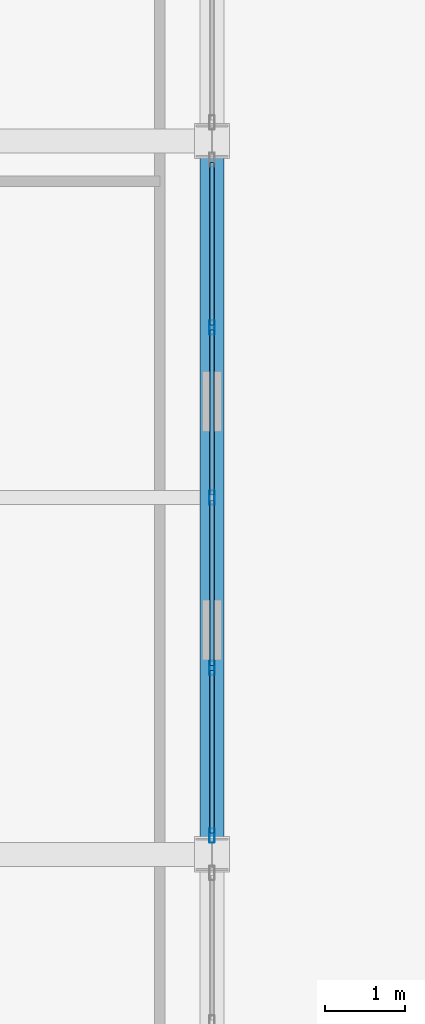
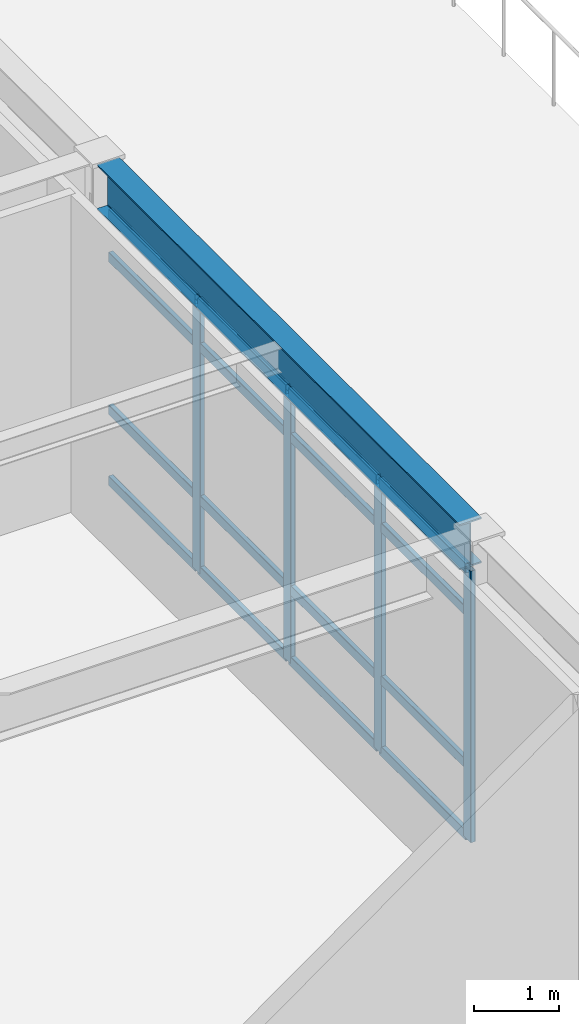
# One storey, part 38 of 93: 20 members, 1 beam, 1 element without a shape of its own.
"""IFC4 building model written with IfcOpenShell, lengths in metres."""

from ifc_helpers import new_model, si_unit, direction, frame, origin, origin_2d, place, context, subcontext, project, spatial, hollow_rectangle, i_section, extrude, material, layer, layer_set, material_profile, profile_set, type_object, element, aggregate, save


model = new_model("IFC4")

# Units and contexts
model_context = context("Model", 3, precision=1e-05, world=origin(), true_north=direction((0.0, 1.0)))
body_context = subcontext(model_context, "Body", "Model", "MODEL_VIEW")
ifc_project = project(units=[si_unit("LENGTHUNIT", "METRE"), si_unit("AREAUNIT", "SQUARE_METRE"), si_unit("VOLUMEUNIT", "CUBIC_METRE"), si_unit("PLANEANGLEUNIT", "RADIAN"), si_unit("MASSUNIT", "GRAM", prefix="KILO")], contexts=[model_context])

# Site, building, storey
site_placement = place(None, origin())
site = spatial("IfcSite", under=ifc_project, at=site_placement, CompositionType="ELEMENT")
building_placement = place(site_placement, origin())
building = spatial("IfcBuilding", under=site, at=building_placement, Name="Kazehara Bluff Congress Hotel", CompositionType="ELEMENT")
storey_placement = place(building_placement, frame((0.0, 0.0, 15.0)))
storey = spatial("IfcBuildingStorey", under=building, at=storey_placement, Name="L03", CompositionType="ELEMENT", Elevation=15.0)

# Curtain wall, members
ifc_material_1 = material(Name="Anodised aluminium", Category="aluminium")
ifc_layer = layer(ifc_material_1, 0.159912109375)
ifc_layer_set = layer_set([ifc_layer], Name="Anodised aluminium")
curtain_wall_type = type_object("IfcCurtainWallType", Name="TP-CW-61", PredefinedType="NOTDEFINED", material=ifc_layer_set)
curtain_wall_placement = place(storey_placement, origin())
curtain_wall = element("IfcCurtainWall", 1, at=curtain_wall_placement, inside=storey, type_object=curtain_wall_type, Name="L03 curtain wall CW-61 CW-V4-L03-X10125-3220", PredefinedType="NOTDEFINED")
ifc_material_2 = material(Name="Anodised aluminium", Category="aluminium")
ifc_material_profile_1 = material_profile(ifc_material_2, hollow_rectangle(XDim=0.06494140625, YDim=0.179931640625, WallThickness=0.00390625, InnerFilletRadius=0.00390625, OuterFilletRadius=0.008056640625, at=origin_2d()))
ifc_profile_set_1 = profile_set([ifc_material_profile_1], Name="Anodised aluminium")
member_type_1 = type_object("IfcMemberType", Name="TP-CWM-02", PredefinedType="MULLION", material=ifc_profile_set_1)
member_1_placement = place(storey_placement, frame((101.25, 32.232421875, 0.0), z_axis=(0.0, 0.0, 1.0), x_axis=(-1.0, 0.0, 0.0)))
member_1 = element("IfcMember", 2, at=member_1_placement, type_object=member_type_1, Name="CW-61 mullion 1", PredefinedType="MULLION", context=body_context, shape_type="SweptSolid", body=[
    extrude(hollow_rectangle(XDim=0.06494140625, YDim=0.179931640625, WallThickness=0.00390625, InnerFilletRadius=0.00390625, OuterFilletRadius=0.008056640625, at=origin_2d()), origin(), (0.0, 0.0, 1.0), 3.885009765625),
])
member_2_placement = place(storey_placement, frame((101.25, 34.324951171875, 0.0), z_axis=(0.0, 0.0, 1.0), x_axis=(-1.0, 0.0, 0.0)))
member_2 = element("IfcMember", 3, at=member_2_placement, type_object=member_type_1, Name="CW-61 mullion 2", PredefinedType="MULLION", context=body_context, shape_type="SweptSolid", body=[
    extrude(hollow_rectangle(XDim=0.06494140625, YDim=0.179931640625, WallThickness=0.00390625, InnerFilletRadius=0.00390625, OuterFilletRadius=0.008056640625, at=origin_2d()), origin(), (0.0, 0.0, 1.0), 3.885009765625),
])
member_3_placement = place(storey_placement, frame((101.25, 36.449951171875, 0.0), z_axis=(0.0, 0.0, 1.0), x_axis=(-1.0, 0.0, 0.0)))
member_3 = element("IfcMember", 4, at=member_3_placement, type_object=member_type_1, Name="CW-61 mullion 3", PredefinedType="MULLION", context=body_context, shape_type="SweptSolid", body=[
    extrude(hollow_rectangle(XDim=0.06494140625, YDim=0.179931640625, WallThickness=0.00390625, InnerFilletRadius=0.00390625, OuterFilletRadius=0.008056640625, at=origin_2d()), origin(), (0.0, 0.0, 1.0), 3.885009765625),
])
member_4_placement = place(storey_placement, frame((101.25, 38.574951171875, 0.0), z_axis=(0.0, 0.0, 1.0), x_axis=(-1.0, 0.0, 0.0)))
member_4 = element("IfcMember", 5, at=member_4_placement, type_object=member_type_1, Name="CW-61 mullion 4", PredefinedType="MULLION", context=body_context, shape_type="SweptSolid", body=[
    extrude(hollow_rectangle(XDim=0.06494140625, YDim=0.179931640625, WallThickness=0.00390625, InnerFilletRadius=0.00390625, OuterFilletRadius=0.008056640625, at=origin_2d()), origin(), (0.0, 0.0, 1.0), 3.885009765625),
])
ifc_material_3 = material(Name="Anodised aluminium", Category="aluminium")
ifc_material_profile_2 = material_profile(ifc_material_3, hollow_rectangle(XDim=0.06494140625, YDim=0.139892578125, WallThickness=0.00390625, InnerFilletRadius=0.00390625, OuterFilletRadius=0.008056640625, at=origin_2d()))
ifc_profile_set_2 = profile_set([ifc_material_profile_2], Name="Anodised aluminium")
member_type_2 = type_object("IfcMemberType", Name="TP-CWT-02", PredefinedType="USERDEFINED", material=ifc_profile_set_2)
member_5_placement = place(storey_placement, frame((101.25, 32.264892578125, 0.032470703125), z_axis=(0.0, 1.0, 0.0), x_axis=(-1.0, 0.0, 0.0)))
member_5 = element("IfcMember", 6, at=member_5_placement, type_object=member_type_2, Name="CW-61 transom 1.1", ObjectType="TRANSOM", PredefinedType="USERDEFINED", context=body_context, shape_type="SweptSolid", body=[
    extrude(hollow_rectangle(XDim=0.06494140625, YDim=0.139892578125, WallThickness=0.00390625, InnerFilletRadius=0.00390625, OuterFilletRadius=0.008056640625, at=origin_2d()), origin(), (0.0, 0.0, 1.0), 2.027587890625),
])
member_6_placement = place(storey_placement, frame((101.25, 32.264892578125, 1.050048828125), z_axis=(0.0, 1.0, 0.0), x_axis=(-1.0, 0.0, 0.0)))
member_6 = element("IfcMember", 7, at=member_6_placement, type_object=member_type_2, Name="CW-61 transom 1.2", ObjectType="TRANSOM", PredefinedType="USERDEFINED", context=body_context, shape_type="SweptSolid", body=[
    extrude(hollow_rectangle(XDim=0.06494140625, YDim=0.139892578125, WallThickness=0.00390625, InnerFilletRadius=0.00390625, OuterFilletRadius=0.008056640625, at=origin_2d()), origin(), (0.0, 0.0, 1.0), 2.027587890625),
])
member_7_placement = place(storey_placement, frame((101.25, 32.264892578125, 3.235107421875), z_axis=(0.0, 1.0, 0.0), x_axis=(-1.0, 0.0, 0.0)))
member_7 = element("IfcMember", 8, at=member_7_placement, type_object=member_type_2, Name="CW-61 transom 1.3", ObjectType="TRANSOM", PredefinedType="USERDEFINED", context=body_context, shape_type="SweptSolid", body=[
    extrude(hollow_rectangle(XDim=0.06494140625, YDim=0.139892578125, WallThickness=0.00390625, InnerFilletRadius=0.00390625, OuterFilletRadius=0.008056640625, at=origin_2d()), origin(), (0.0, 0.0, 1.0), 2.027587890625),
])
member_8_placement = place(storey_placement, frame((101.25, 32.264892578125, 3.8525390625), z_axis=(0.0, 1.0, 0.0), x_axis=(-1.0, 0.0, 0.0)))
member_8 = element("IfcMember", 9, at=member_8_placement, type_object=member_type_2, Name="CW-61 transom 1.4", ObjectType="TRANSOM", PredefinedType="USERDEFINED", context=body_context, shape_type="SweptSolid", body=[
    extrude(hollow_rectangle(XDim=0.06494140625, YDim=0.139892578125, WallThickness=0.00390625, InnerFilletRadius=0.00390625, OuterFilletRadius=0.008056640625, at=origin_2d()), origin(), (0.0, 0.0, 1.0), 2.027587890625),
])
member_9_placement = place(storey_placement, frame((101.25, 34.357421875, 0.032470703125), z_axis=(0.0, 1.0, 0.0), x_axis=(-1.0, 0.0, 0.0)))
member_9 = element("IfcMember", 10, at=member_9_placement, type_object=member_type_2, Name="CW-61 transom 2.1", ObjectType="TRANSOM", PredefinedType="USERDEFINED", context=body_context, shape_type="SweptSolid", body=[
    extrude(hollow_rectangle(XDim=0.06494140625, YDim=0.139892578125, WallThickness=0.00390625, InnerFilletRadius=0.00390625, OuterFilletRadius=0.008056640625, at=origin_2d()), origin(), (0.0, 0.0, 1.0), 2.06005859375),
])
member_10_placement = place(storey_placement, frame((101.25, 34.357421875, 1.050048828125), z_axis=(0.0, 1.0, 0.0), x_axis=(-1.0, 0.0, 0.0)))
member_10 = element("IfcMember", 11, at=member_10_placement, type_object=member_type_2, Name="CW-61 transom 2.2", ObjectType="TRANSOM", PredefinedType="USERDEFINED", context=body_context, shape_type="SweptSolid", body=[
    extrude(hollow_rectangle(XDim=0.06494140625, YDim=0.139892578125, WallThickness=0.00390625, InnerFilletRadius=0.00390625, OuterFilletRadius=0.008056640625, at=origin_2d()), origin(), (0.0, 0.0, 1.0), 2.06005859375),
])
member_11_placement = place(storey_placement, frame((101.25, 34.357421875, 3.235107421875), z_axis=(0.0, 1.0, 0.0), x_axis=(-1.0, 0.0, 0.0)))
member_11 = element("IfcMember", 12, at=member_11_placement, type_object=member_type_2, Name="CW-61 transom 2.3", ObjectType="TRANSOM", PredefinedType="USERDEFINED", context=body_context, shape_type="SweptSolid", body=[
    extrude(hollow_rectangle(XDim=0.06494140625, YDim=0.139892578125, WallThickness=0.00390625, InnerFilletRadius=0.00390625, OuterFilletRadius=0.008056640625, at=origin_2d()), origin(), (0.0, 0.0, 1.0), 2.06005859375),
])
member_12_placement = place(storey_placement, frame((101.25, 34.357421875, 3.8525390625), z_axis=(0.0, 1.0, 0.0), x_axis=(-1.0, 0.0, 0.0)))
member_12 = element("IfcMember", 13, at=member_12_placement, type_object=member_type_2, Name="CW-61 transom 2.4", ObjectType="TRANSOM", PredefinedType="USERDEFINED", context=body_context, shape_type="SweptSolid", body=[
    extrude(hollow_rectangle(XDim=0.06494140625, YDim=0.139892578125, WallThickness=0.00390625, InnerFilletRadius=0.00390625, OuterFilletRadius=0.008056640625, at=origin_2d()), origin(), (0.0, 0.0, 1.0), 2.06005859375),
])
member_13_placement = place(storey_placement, frame((101.25, 36.482421875, 0.032470703125), z_axis=(0.0, 1.0, 0.0), x_axis=(-1.0, 0.0, 0.0)))
member_13 = element("IfcMember", 14, at=member_13_placement, type_object=member_type_2, Name="CW-61 transom 3.1", ObjectType="TRANSOM", PredefinedType="USERDEFINED", context=body_context, shape_type="SweptSolid", body=[
    extrude(hollow_rectangle(XDim=0.06494140625, YDim=0.139892578125, WallThickness=0.00390625, InnerFilletRadius=0.00390625, OuterFilletRadius=0.008056640625, at=origin_2d()), origin(), (0.0, 0.0, 1.0), 2.06005859375),
])
member_14_placement = place(storey_placement, frame((101.25, 36.482421875, 1.050048828125), z_axis=(0.0, 1.0, 0.0), x_axis=(-1.0, 0.0, 0.0)))
member_14 = element("IfcMember", 15, at=member_14_placement, type_object=member_type_2, Name="CW-61 transom 3.2", ObjectType="TRANSOM", PredefinedType="USERDEFINED", context=body_context, shape_type="SweptSolid", body=[
    extrude(hollow_rectangle(XDim=0.06494140625, YDim=0.139892578125, WallThickness=0.00390625, InnerFilletRadius=0.00390625, OuterFilletRadius=0.008056640625, at=origin_2d()), origin(), (0.0, 0.0, 1.0), 2.06005859375),
])
member_15_placement = place(storey_placement, frame((101.25, 36.482421875, 3.235107421875), z_axis=(0.0, 1.0, 0.0), x_axis=(-1.0, 0.0, 0.0)))
member_15 = element("IfcMember", 16, at=member_15_placement, type_object=member_type_2, Name="CW-61 transom 3.3", ObjectType="TRANSOM", PredefinedType="USERDEFINED", context=body_context, shape_type="SweptSolid", body=[
    extrude(hollow_rectangle(XDim=0.06494140625, YDim=0.139892578125, WallThickness=0.00390625, InnerFilletRadius=0.00390625, OuterFilletRadius=0.008056640625, at=origin_2d()), origin(), (0.0, 0.0, 1.0), 2.06005859375),
])
member_16_placement = place(storey_placement, frame((101.25, 36.482421875, 3.8525390625), z_axis=(0.0, 1.0, 0.0), x_axis=(-1.0, 0.0, 0.0)))
member_16 = element("IfcMember", 17, at=member_16_placement, type_object=member_type_2, Name="CW-61 transom 3.4", ObjectType="TRANSOM", PredefinedType="USERDEFINED", context=body_context, shape_type="SweptSolid", body=[
    extrude(hollow_rectangle(XDim=0.06494140625, YDim=0.139892578125, WallThickness=0.00390625, InnerFilletRadius=0.00390625, OuterFilletRadius=0.008056640625, at=origin_2d()), origin(), (0.0, 0.0, 1.0), 2.06005859375),
])
member_17_placement = place(storey_placement, frame((101.25, 38.607421875, 0.032470703125), z_axis=(0.0, 1.0, 0.0), x_axis=(-1.0, 0.0, 0.0)))
member_17 = element("IfcMember", 18, at=member_17_placement, type_object=member_type_2, Name="CW-61 transom 4.1", ObjectType="TRANSOM", PredefinedType="USERDEFINED", context=body_context, shape_type="SweptSolid", body=[
    extrude(hollow_rectangle(XDim=0.06494140625, YDim=0.139892578125, WallThickness=0.00390625, InnerFilletRadius=0.00390625, OuterFilletRadius=0.008056640625, at=origin_2d()), origin(), (0.0, 0.0, 1.0), 2.027587890625),
])
member_18_placement = place(storey_placement, frame((101.25, 38.607421875, 1.050048828125), z_axis=(0.0, 1.0, 0.0), x_axis=(-1.0, 0.0, 0.0)))
member_18 = element("IfcMember", 19, at=member_18_placement, type_object=member_type_2, Name="CW-61 transom 4.2", ObjectType="TRANSOM", PredefinedType="USERDEFINED", context=body_context, shape_type="SweptSolid", body=[
    extrude(hollow_rectangle(XDim=0.06494140625, YDim=0.139892578125, WallThickness=0.00390625, InnerFilletRadius=0.00390625, OuterFilletRadius=0.008056640625, at=origin_2d()), origin(), (0.0, 0.0, 1.0), 2.027587890625),
])
member_19_placement = place(storey_placement, frame((101.25, 38.607421875, 3.235107421875), z_axis=(0.0, 1.0, 0.0), x_axis=(-1.0, 0.0, 0.0)))
member_19 = element("IfcMember", 20, at=member_19_placement, type_object=member_type_2, Name="CW-61 transom 4.3", ObjectType="TRANSOM", PredefinedType="USERDEFINED", context=body_context, shape_type="SweptSolid", body=[
    extrude(hollow_rectangle(XDim=0.06494140625, YDim=0.139892578125, WallThickness=0.00390625, InnerFilletRadius=0.00390625, OuterFilletRadius=0.008056640625, at=origin_2d()), origin(), (0.0, 0.0, 1.0), 2.027587890625),
])
member_20_placement = place(storey_placement, frame((101.25, 38.607421875, 3.8525390625), z_axis=(0.0, 1.0, 0.0), x_axis=(-1.0, 0.0, 0.0)))
member_20 = element("IfcMember", 21, at=member_20_placement, type_object=member_type_2, Name="CW-61 transom 4.4", ObjectType="TRANSOM", PredefinedType="USERDEFINED", context=body_context, shape_type="SweptSolid", body=[
    extrude(hollow_rectangle(XDim=0.06494140625, YDim=0.139892578125, WallThickness=0.00390625, InnerFilletRadius=0.00390625, OuterFilletRadius=0.008056640625, at=origin_2d()), origin(), (0.0, 0.0, 1.0), 2.027587890625),
])
aggregate(curtain_wall, [member_1, member_2, member_3, member_4, member_5, member_6, member_7, member_8, member_9, member_10, member_11, member_12, member_13, member_14, member_15, member_16, member_17, member_18, member_19, member_20])

# Beam
ifc_material_4 = material(Name="Steel SN490B", Category="steel")
ifc_material_profile_3 = material_profile(ifc_material_4, i_section(OverallWidth=0.300048828125, OverallDepth=0.64990234375, WebThickness=0.011962890625, FlangeThickness=0.02001953125, FilletRadius=0.012939453125, at=origin_2d()))
ifc_profile_set_3 = profile_set([ifc_material_profile_3], Name="Steel SN490B")
beam_type = type_object("IfcBeamType", Name="TP-G-03", PredefinedType="BEAM", material=ifc_profile_set_3)
beam_placement = place(storey_placement, frame((101.25, 32.199951171875, 4.235107421875), z_axis=(0.0, 1.0, 0.0), x_axis=(-1.0, 0.0, 0.0)))
element("IfcBeam", 22, at=beam_placement, inside=storey, type_object=beam_type, Name="L03 girder G-03 68", PredefinedType="BEAM", context=body_context, shape_type="SweptSolid", body=[
    extrude(i_section(OverallWidth=0.300048828125, OverallDepth=0.64990234375, WebThickness=0.011962890625, FlangeThickness=0.02001953125, FilletRadius=0.012939453125, at=origin_2d()), origin(), (0.0, 0.0, 1.0), 8.5),
])

save(model, "model.ifc")
